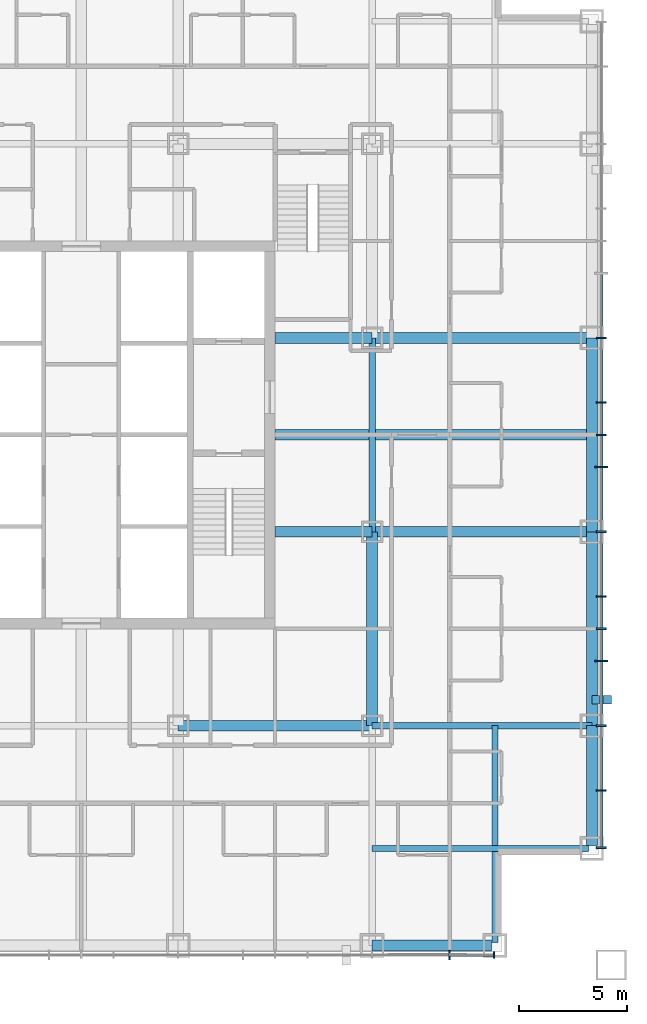
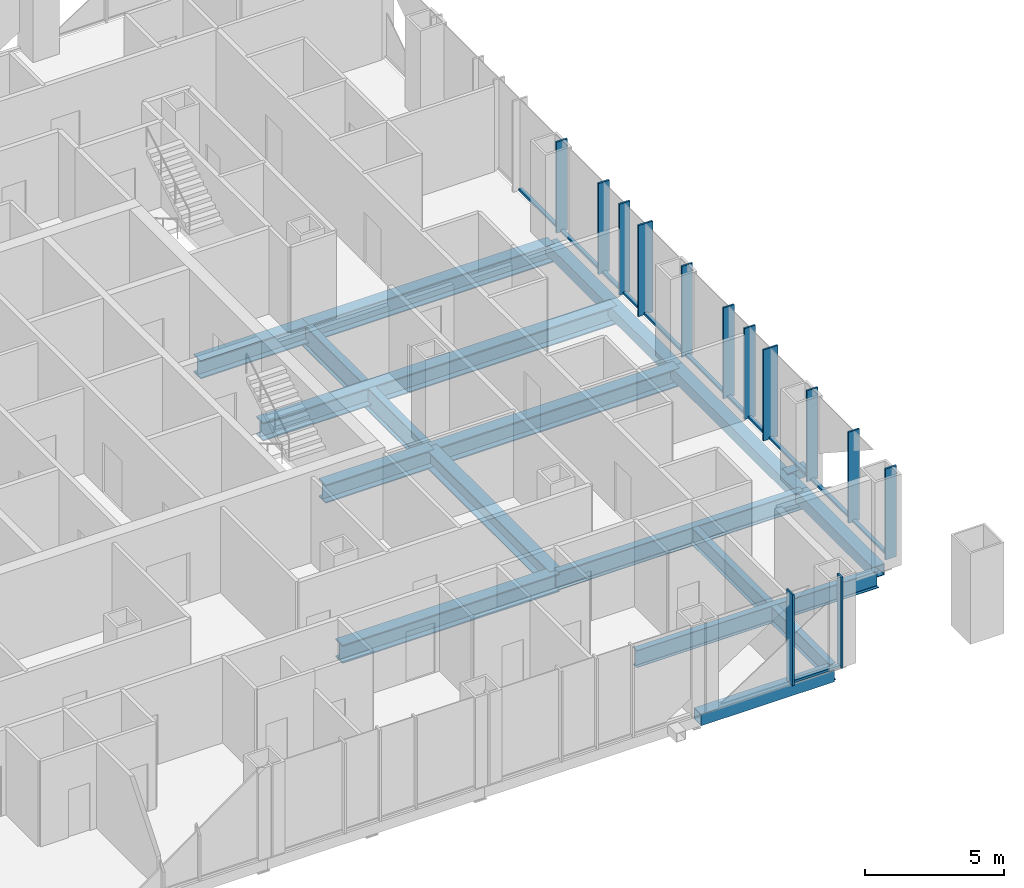
# One storey, part 4 of 14: 26 members, 15 beams, 2 elements without a shape of their own.
"""IFC4 building model written with IfcOpenShell, lengths in metres."""

from ifc_helpers import new_model, si_unit, direction, frame, origin, origin_2d, place, context, subcontext, project, spatial, rectangle, hollow_rectangle, i_section, extrude, material, layer, layer_set, material_profile, profile_set, type_object, element, aggregate, save


model = new_model("IFC4")

# Units and contexts
model_context = context("Model", 3, precision=1e-05, world=origin(), true_north=direction((0.0, 1.0)))
body_context = subcontext(model_context, "Body", "Model", "MODEL_VIEW")
ifc_project = project(units=[si_unit("LENGTHUNIT", "METRE"), si_unit("AREAUNIT", "SQUARE_METRE"), si_unit("VOLUMEUNIT", "CUBIC_METRE"), si_unit("PLANEANGLEUNIT", "RADIAN"), si_unit("MASSUNIT", "GRAM", prefix="KILO")], contexts=[model_context])

# Site, building, storey
site_placement = place(None, origin())
site = spatial("IfcSite", under=ifc_project, at=site_placement, CompositionType="ELEMENT")
building_placement = place(site_placement, origin())
building = spatial("IfcBuilding", under=site, at=building_placement, Name="Malebo Sky Hospital", CompositionType="ELEMENT")
storey_placement = place(building_placement, frame((0.0, 0.0, 164.0)))
storey = spatial("IfcBuildingStorey", under=building, at=storey_placement, Name="L39", CompositionType="ELEMENT", Elevation=164.0)

# Curtain wall, member
ifc_material_1 = material(Name="Anodised aluminium, natural silver", Category="aluminium")
ifc_layer_1 = layer(ifc_material_1, 0.25)
ifc_layer_set_1 = layer_set([ifc_layer_1], Name="WARD CURTAIN WALL NORTH AND SOUTH")
curtain_wall_type_1 = type_object("IfcCurtainWallType", Name="WARD CURTAIN WALL NORTH AND SOUTH", PredefinedType="NOTDEFINED", material=ifc_layer_set_1)
curtain_wall_1_placement = place(storey_placement, origin())
curtain_wall_1 = element("IfcCurtainWall", 1, at=curtain_wall_1_placement, inside=storey, type_object=curtain_wall_type_1, Name="NS curtain wall S", PredefinedType="NOTDEFINED")
ifc_material_profile_1 = material_profile(ifc_material_1, rectangle(XDim=0.14990234375, YDim=0.10009765625, at=origin_2d()), Name="ALUMINIUM TRANSOM 150x100")
ifc_profile_set_1 = profile_set([ifc_material_profile_1], Name="Anodised aluminium, natural silver")
member_type_1 = type_object("IfcMemberType", Name="ALUMINIUM TRANSOM 150x100", PredefinedType="USERDEFINED", material=ifc_profile_set_1)
member_1_placement = place(storey_placement, frame((79.125, 37.864990234375, 0.050048828125), z_axis=(-1.0, 0.0, 0.0), x_axis=(0.0, -1.0, 0.0)))
member_1 = element("IfcMember", 2, at=member_1_placement, type_object=member_type_1, Name="Transom 1", ObjectType="TRANSOM", PredefinedType="USERDEFINED", context=body_context, shape_type="SweptSolid", body=[
    extrude(rectangle(XDim=0.14990234375, YDim=0.10009765625, at=origin_2d()), origin(), (0.0, 0.0, 1.0), 1.987548828125),
])

# Curtain wall, members
ifc_layer_2 = layer(ifc_material_1, 0.25)
ifc_layer_set_2 = layer_set([ifc_layer_2], Name="WARD CURTAIN WALL EAST AND WEST")
curtain_wall_type_2 = type_object("IfcCurtainWallType", Name="WARD CURTAIN WALL EAST AND WEST", PredefinedType="NOTDEFINED", material=ifc_layer_set_2)
curtain_wall_2_placement = place(storey_placement, origin())
curtain_wall_2 = element("IfcCurtainWall", 3, at=curtain_wall_2_placement, inside=storey, type_object=curtain_wall_type_2, Name="EW curtain wall E", PredefinedType="NOTDEFINED")
member_2_placement = place(storey_placement, frame((84.135009765625, 69.46240234375, 0.050048828125), z_axis=(0.0, -1.0, 0.0), x_axis=(1.0, 0.0, 0.0)))
member_2 = element("IfcMember", 4, at=member_2_placement, type_object=member_type_1, Name="Transom 6", ObjectType="TRANSOM", PredefinedType="USERDEFINED", context=body_context, shape_type="SweptSolid", body=[
    extrude(rectangle(XDim=0.14990234375, YDim=0.10009765625, at=origin_2d()), origin(), (0.0, 0.0, 1.0), 2.9248046875),
])
member_3_placement = place(storey_placement, frame((84.135009765625, 66.46240234375, 0.050048828125), z_axis=(0.0, -1.0, 0.0), x_axis=(1.0, 0.0, 0.0)))
member_3 = element("IfcMember", 5, at=member_3_placement, type_object=member_type_1, Name="Transom 7", ObjectType="TRANSOM", PredefinedType="USERDEFINED", context=body_context, shape_type="SweptSolid", body=[
    extrude(rectangle(XDim=0.14990234375, YDim=0.10009765625, at=origin_2d()), origin(), (0.0, 0.0, 1.0), 2.9248046875),
])
member_4_placement = place(storey_placement, frame((84.135009765625, 63.46240234375, 0.050048828125), z_axis=(0.0, -1.0, 0.0), x_axis=(1.0, 0.0, 0.0)))
member_4 = element("IfcMember", 6, at=member_4_placement, type_object=member_type_1, Name="Transom 8", ObjectType="TRANSOM", PredefinedType="USERDEFINED", context=body_context, shape_type="SweptSolid", body=[
    extrude(rectangle(XDim=0.14990234375, YDim=0.10009765625, at=origin_2d()), origin(), (0.0, 0.0, 1.0), 1.4248046875),
])
member_5_placement = place(storey_placement, frame((84.135009765625, 61.96240234375, 0.050048828125), z_axis=(0.0, -1.0, 0.0), x_axis=(1.0, 0.0, 0.0)))
member_5 = element("IfcMember", 7, at=member_5_placement, type_object=member_type_1, Name="Transom 9", ObjectType="TRANSOM", PredefinedType="USERDEFINED", context=body_context, shape_type="SweptSolid", body=[
    extrude(rectangle(XDim=0.14990234375, YDim=0.10009765625, at=origin_2d()), origin(), (0.0, 0.0, 1.0), 1.4248046875),
])
member_6_placement = place(storey_placement, frame((84.135009765625, 60.46240234375, 0.050048828125), z_axis=(0.0, -1.0, 0.0), x_axis=(1.0, 0.0, 0.0)))
member_6 = element("IfcMember", 8, at=member_6_placement, type_object=member_type_1, Name="Transom 10", ObjectType="TRANSOM", PredefinedType="USERDEFINED", context=body_context, shape_type="SweptSolid", body=[
    extrude(rectangle(XDim=0.14990234375, YDim=0.10009765625, at=origin_2d()), origin(), (0.0, 0.0, 1.0), 2.9248046875),
])
member_7_placement = place(storey_placement, frame((84.135009765625, 57.46240234375, 0.050048828125), z_axis=(0.0, -1.0, 0.0), x_axis=(1.0, 0.0, 0.0)))
member_7 = element("IfcMember", 9, at=member_7_placement, type_object=member_type_1, Name="Transom 11", ObjectType="TRANSOM", PredefinedType="USERDEFINED", context=body_context, shape_type="SweptSolid", body=[
    extrude(rectangle(XDim=0.14990234375, YDim=0.10009765625, at=origin_2d()), origin(), (0.0, 0.0, 1.0), 2.9248046875),
])
member_8_placement = place(storey_placement, frame((84.135009765625, 54.46240234375, 0.050048828125), z_axis=(0.0, -1.0, 0.0), x_axis=(1.0, 0.0, 0.0)))
member_8 = element("IfcMember", 10, at=member_8_placement, type_object=member_type_1, Name="Transom 12", ObjectType="TRANSOM", PredefinedType="USERDEFINED", context=body_context, shape_type="SweptSolid", body=[
    extrude(rectangle(XDim=0.14990234375, YDim=0.10009765625, at=origin_2d()), origin(), (0.0, 0.0, 1.0), 1.4248046875),
])
member_9_placement = place(storey_placement, frame((84.135009765625, 52.96240234375, 0.050048828125), z_axis=(0.0, -1.0, 0.0), x_axis=(1.0, 0.0, 0.0)))
member_9 = element("IfcMember", 11, at=member_9_placement, type_object=member_type_1, Name="Transom 13", ObjectType="TRANSOM", PredefinedType="USERDEFINED", context=body_context, shape_type="SweptSolid", body=[
    extrude(rectangle(XDim=0.14990234375, YDim=0.10009765625, at=origin_2d()), origin(), (0.0, 0.0, 1.0), 1.4248046875),
])
member_10_placement = place(storey_placement, frame((84.135009765625, 51.46240234375, 0.050048828125), z_axis=(0.0, -1.0, 0.0), x_axis=(1.0, 0.0, 0.0)))
member_10 = element("IfcMember", 12, at=member_10_placement, type_object=member_type_1, Name="Transom 14", ObjectType="TRANSOM", PredefinedType="USERDEFINED", context=body_context, shape_type="SweptSolid", body=[
    extrude(rectangle(XDim=0.14990234375, YDim=0.10009765625, at=origin_2d()), origin(), (0.0, 0.0, 1.0), 2.9248046875),
])
member_11_placement = place(storey_placement, frame((84.135009765625, 48.46240234375, 0.050048828125), z_axis=(0.0, -1.0, 0.0), x_axis=(1.0, 0.0, 0.0)))
member_11 = element("IfcMember", 13, at=member_11_placement, type_object=member_type_1, Name="Transom 15", ObjectType="TRANSOM", PredefinedType="USERDEFINED", context=body_context, shape_type="SweptSolid", body=[
    extrude(rectangle(XDim=0.14990234375, YDim=0.10009765625, at=origin_2d()), origin(), (0.0, 0.0, 1.0), 2.9248046875),
])
member_12_placement = place(storey_placement, frame((84.135009765625, 45.46240234375, 0.050048828125), z_axis=(0.0, -1.0, 0.0), x_axis=(1.0, 0.0, 0.0)))
member_12 = element("IfcMember", 14, at=member_12_placement, type_object=member_type_1, Name="Transom 16", ObjectType="TRANSOM", PredefinedType="USERDEFINED", context=body_context, shape_type="SweptSolid", body=[
    extrude(rectangle(XDim=0.14990234375, YDim=0.10009765625, at=origin_2d()), origin(), (0.0, 0.0, 1.0), 2.58740234375),
])

# Member
ifc_material_2 = material(Name="Steel S355", Category="steel")
ifc_material_profile_2 = material_profile(ifc_material_2, hollow_rectangle(XDim=0.39990234375, YDim=0.39990234375, WallThickness=0.02001953125, at=origin_2d()), Name="SHS 400x20")
ifc_profile_set_2 = profile_set([ifc_material_profile_2], Name="Steel S355")
member_type_2 = type_object("IfcMemberType", Name="BRACE STRUT SHS 400x20", PredefinedType="STRUT", material=ifc_profile_set_2)
member_13_placement = place(storey_placement, frame((84.60009765625, 49.699951171875, -0.39990234375), z_axis=(-1.0, 0.0, 0.0), x_axis=(0.0, -1.0, 0.0)))
element("IfcMember", 15, at=member_13_placement, inside=storey, type_object=member_type_2, Name="Brace strut BE2 L39", PredefinedType="STRUT", context=body_context, shape_type="SweptSolid", body=[
    extrude(hollow_rectangle(XDim=0.39990234375, YDim=0.39990234375, WallThickness=0.02001953125, at=origin_2d()), origin(), (0.0, 0.0, 1.0), 0.900146484375),
])

ifc_material_profile_3 = material_profile(ifc_material_1, rectangle(XDim=0.074951171875, YDim=0.300048828125, at=origin_2d()), Name="CW1 ALUMINIUM FIN MULLION 75x300")
ifc_profile_set_3 = profile_set([ifc_material_profile_3], Name="Anodised aluminium, natural silver")
member_type_3 = type_object("IfcMemberType", Name="CW1 ALUMINIUM FIN MULLION 75x300", PredefinedType="MULLION", material=ifc_profile_set_3)
member_14_placement = place(storey_placement, frame((79.16259765625, 37.864990234375, 0.0), z_axis=(0.0, 0.0, 1.0), x_axis=(-1.0, 0.0, 0.0)))
member_14 = element("IfcMember", 16, at=member_14_placement, type_object=member_type_3, Name="Fin mullion 1", PredefinedType="MULLION", context=body_context, shape_type="SweptSolid", body=[
    extrude(rectangle(XDim=0.074951171875, YDim=0.300048828125, at=origin_2d()), origin(), (0.0, 0.0, 1.0), 4.0),
])

ifc_material_profile_4 = material_profile(ifc_material_1, rectangle(XDim=0.074951171875, YDim=0.449951171875, at=origin_2d()), Name="CW1 ALUMINIUM FIN MULLION 75x450")
ifc_profile_set_4 = profile_set([ifc_material_profile_4], Name="Anodised aluminium, natural silver")
member_type_4 = type_object("IfcMemberType", Name="CW1 ALUMINIUM FIN MULLION 75x450", PredefinedType="MULLION", material=ifc_profile_set_4)
member_15_placement = place(storey_placement, frame((77.10009765625, 37.864990234375, 0.0), z_axis=(0.0, 0.0, 1.0), x_axis=(-1.0, 0.0, 0.0)))
member_15 = element("IfcMember", 17, at=member_15_placement, type_object=member_type_4, Name="Fin mullion 2", PredefinedType="MULLION", context=body_context, shape_type="SweptSolid", body=[
    extrude(rectangle(XDim=0.074951171875, YDim=0.449951171875, at=origin_2d()), origin(), (0.0, 0.0, 1.0), 4.0),
])

aggregate(curtain_wall_1, [member_14, member_15, member_1])

ifc_material_profile_5 = material_profile(ifc_material_1, rectangle(XDim=0.074951171875, YDim=0.449951171875, at=origin_2d()), Name="CW2 ALUMINIUM FIN MULLION 75x450")
ifc_profile_set_5 = profile_set([ifc_material_profile_5], Name="Anodised aluminium, natural silver")
member_type_5 = type_object("IfcMemberType", Name="CW2 ALUMINIUM FIN MULLION 75x450", PredefinedType="MULLION", material=ifc_profile_set_5)
member_16_placement = place(storey_placement, frame((84.135009765625, 66.5, 0.0), z_axis=(0.0, 0.0, 1.0), x_axis=(0.0, -1.0, 0.0)))
member_16 = element("IfcMember", 18, at=member_16_placement, type_object=member_type_5, Name="Fin mullion 7", PredefinedType="MULLION", context=body_context, shape_type="SweptSolid", body=[
    extrude(rectangle(XDim=0.074951171875, YDim=0.449951171875, at=origin_2d()), origin(), (0.0, 0.0, 1.0), 4.0),
])

member_17_placement = place(storey_placement, frame((84.135009765625, 63.5, 0.0), z_axis=(0.0, 0.0, 1.0), x_axis=(0.0, -1.0, 0.0)))
member_17 = element("IfcMember", 19, at=member_17_placement, type_object=member_type_5, Name="Fin mullion 8", PredefinedType="MULLION", context=body_context, shape_type="SweptSolid", body=[
    extrude(rectangle(XDim=0.074951171875, YDim=0.449951171875, at=origin_2d()), origin(), (0.0, 0.0, 1.0), 4.0),
])

member_18_placement = place(storey_placement, frame((84.135009765625, 62.0, 0.0), z_axis=(0.0, 0.0, 1.0), x_axis=(0.0, -1.0, 0.0)))
member_18 = element("IfcMember", 20, at=member_18_placement, type_object=member_type_5, Name="Fin mullion 9", PredefinedType="MULLION", context=body_context, shape_type="SweptSolid", body=[
    extrude(rectangle(XDim=0.074951171875, YDim=0.449951171875, at=origin_2d()), origin(), (0.0, 0.0, 1.0), 4.0),
])

member_19_placement = place(storey_placement, frame((84.135009765625, 57.5, 0.0), z_axis=(0.0, 0.0, 1.0), x_axis=(0.0, -1.0, 0.0)))
member_19 = element("IfcMember", 21, at=member_19_placement, type_object=member_type_5, Name="Fin mullion 11", PredefinedType="MULLION", context=body_context, shape_type="SweptSolid", body=[
    extrude(rectangle(XDim=0.074951171875, YDim=0.449951171875, at=origin_2d()), origin(), (0.0, 0.0, 1.0), 4.0),
])

member_20_placement = place(storey_placement, frame((84.135009765625, 54.5, 0.0), z_axis=(0.0, 0.0, 1.0), x_axis=(0.0, -1.0, 0.0)))
member_20 = element("IfcMember", 22, at=member_20_placement, type_object=member_type_5, Name="Fin mullion 12", PredefinedType="MULLION", context=body_context, shape_type="SweptSolid", body=[
    extrude(rectangle(XDim=0.074951171875, YDim=0.449951171875, at=origin_2d()), origin(), (0.0, 0.0, 1.0), 4.0),
])

member_21_placement = place(storey_placement, frame((84.135009765625, 53.0, 0.0), z_axis=(0.0, 0.0, 1.0), x_axis=(0.0, -1.0, 0.0)))
member_21 = element("IfcMember", 23, at=member_21_placement, type_object=member_type_5, Name="Fin mullion 13", PredefinedType="MULLION", context=body_context, shape_type="SweptSolid", body=[
    extrude(rectangle(XDim=0.074951171875, YDim=0.449951171875, at=origin_2d()), origin(), (0.0, 0.0, 1.0), 4.0),
])

member_22_placement = place(storey_placement, frame((84.135009765625, 48.5, 0.0), z_axis=(0.0, 0.0, 1.0), x_axis=(0.0, -1.0, 0.0)))
member_22 = element("IfcMember", 24, at=member_22_placement, type_object=member_type_5, Name="Fin mullion 15", PredefinedType="MULLION", context=body_context, shape_type="SweptSolid", body=[
    extrude(rectangle(XDim=0.074951171875, YDim=0.449951171875, at=origin_2d()), origin(), (0.0, 0.0, 1.0), 4.0),
])

member_23_placement = place(storey_placement, frame((84.135009765625, 45.5, 0.0), z_axis=(0.0, 0.0, 1.0), x_axis=(0.0, -1.0, 0.0)))
member_23 = element("IfcMember", 25, at=member_23_placement, type_object=member_type_5, Name="Fin mullion 16", PredefinedType="MULLION", context=body_context, shape_type="SweptSolid", body=[
    extrude(rectangle(XDim=0.074951171875, YDim=0.449951171875, at=origin_2d()), origin(), (0.0, 0.0, 1.0), 4.0),
])

member_24_placement = place(storey_placement, frame((84.135009765625, 42.83740234375, 0.0), z_axis=(0.0, 0.0, 1.0), x_axis=(0.0, -1.0, 0.0)))
member_24 = element("IfcMember", 26, at=member_24_placement, type_object=member_type_5, Name="Fin mullion 17", PredefinedType="MULLION", context=body_context, shape_type="SweptSolid", body=[
    extrude(rectangle(XDim=0.074951171875, YDim=0.449951171875, at=origin_2d()), origin(), (0.0, 0.0, 1.0), 4.0),
])

ifc_material_profile_6 = material_profile(ifc_material_1, rectangle(XDim=0.074951171875, YDim=0.60009765625, at=origin_2d()), Name="CW2 ALUMINIUM FIN MULLION 75x600")
ifc_profile_set_6 = profile_set([ifc_material_profile_6], Name="Anodised aluminium, natural silver")
member_type_6 = type_object("IfcMemberType", Name="CW2 ALUMINIUM FIN MULLION 75x600", PredefinedType="MULLION", material=ifc_profile_set_6)
member_25_placement = place(storey_placement, frame((84.135009765625, 60.5, 0.0), z_axis=(0.0, 0.0, 1.0), x_axis=(0.0, -1.0, 0.0)))
member_25 = element("IfcMember", 27, at=member_25_placement, type_object=member_type_6, Name="Fin mullion 10", PredefinedType="MULLION", context=body_context, shape_type="SweptSolid", body=[
    extrude(rectangle(XDim=0.074951171875, YDim=0.60009765625, at=origin_2d()), origin(), (0.0, 0.0, 1.0), 4.0),
])

member_26_placement = place(storey_placement, frame((84.135009765625, 51.5, 0.0), z_axis=(0.0, 0.0, 1.0), x_axis=(0.0, -1.0, 0.0)))
member_26 = element("IfcMember", 28, at=member_26_placement, type_object=member_type_6, Name="Fin mullion 14", PredefinedType="MULLION", context=body_context, shape_type="SweptSolid", body=[
    extrude(rectangle(XDim=0.074951171875, YDim=0.60009765625, at=origin_2d()), origin(), (0.0, 0.0, 1.0), 4.0),
])

aggregate(curtain_wall_2, [member_16, member_17, member_18, member_25, member_19, member_20, member_21, member_26, member_22, member_23, member_24, member_2, member_3, member_4, member_5, member_6, member_7, member_8, member_9, member_10, member_11, member_12])

# Beams
ifc_material_3 = material(Name="Steel S460", Category="steel")
ifc_material_profile_7 = material_profile(ifc_material_3, hollow_rectangle(XDim=0.5, YDim=0.5, WallThickness=0.030029296875, at=origin_2d()), Name="BOX 500x500x30")
ifc_profile_set_7 = profile_set([ifc_material_profile_7], Name="Steel S460")
beam_type_1 = type_object("IfcBeamType", Name="EDGE BEAM BOX 500x500x30", PredefinedType="BEAM", material=ifc_profile_set_7)
beam_1_placement = place(storey_placement, frame((83.699951171875, 42.949951171875, -0.5), z_axis=(0.0, 1.0, 0.0), x_axis=(-1.0, 0.0, 0.0)))
element("IfcBeam", 29, at=beam_1_placement, inside=storey, type_object=beam_type_1, Name="Beam 029 L39", PredefinedType="BEAM", context=body_context, shape_type="SweptSolid", body=[
    extrude(hollow_rectangle(XDim=0.5, YDim=0.5, WallThickness=0.030029296875, at=origin_2d()), origin(), (0.0, 0.0, 1.0), 5.550048828125),
])
for number, where, z_axis, x_axis, name in (
    (30, (83.699951171875, 48.5, -0.5), (0.0, 1.0, 0.0), (-1.0, 0.0, 0.0), "Beam 030 L39"),
    (31, (83.699951171875, 57.5, -0.5), (0.0, 1.0, 0.0), (-1.0, 0.0, 0.0), "Beam 031 L39"),
):
    element("IfcBeam", number, at=place(storey_placement, frame(where, z_axis=z_axis, x_axis=x_axis)), inside=storey, type_object=beam_type_1, Name=name, PredefinedType="BEAM", context=body_context, shape_type="SweptSolid", body=[
        extrude(hollow_rectangle(XDim=0.5, YDim=0.5, WallThickness=0.030029296875, at=origin_2d()), origin(), (0.0, 0.0, 1.0), 9.0),
    ])
beam_2_placement = place(storey_placement, frame((73.5, 38.300048828125, -0.5), z_axis=(1.0, 0.0, 0.0), x_axis=(0.0, 1.0, 0.0)))
element("IfcBeam", 32, at=beam_2_placement, inside=storey, type_object=beam_type_1, Name="Beam 038 L39", PredefinedType="BEAM", context=body_context, shape_type="SweptSolid", body=[
    extrude(hollow_rectangle(XDim=0.5, YDim=0.5, WallThickness=0.030029296875, at=origin_2d()), origin(), (0.0, 0.0, 1.0), 5.550048828125),
])
ifc_material_profile_8 = material_profile(ifc_material_2, i_section(OverallWidth=0.262939453125, OverallDepth=0.7529296875, WebThickness=0.011474609375, FlangeThickness=0.01708984375, FilletRadius=0.01708984375, at=origin_2d()), Name="IPE 750x137")
ifc_profile_set_8 = profile_set([ifc_material_profile_8], Name="Steel S355")
beam_type_2 = type_object("IfcBeamType", Name="FLOOR BEAM IPE 750x137", PredefinedType="BEAM", material=ifc_profile_set_8)
for number, where, z_axis, x_axis, name in (
    (33, (79.199951171875, 38.449951171875, -0.62646484375), (0.0, 1.0, 0.0), (-1.0, 0.0, 0.0), "Beam 027 L39"),
    (34, (73.5, 42.800048828125, -0.62646484375), (1.0, 0.0, 0.0), (0.0, 1.0, 0.0), "Beam 040 L39"),
):
    element("IfcBeam", number, at=place(storey_placement, frame(where, z_axis=z_axis, x_axis=x_axis)), inside=storey, type_object=beam_type_2, Name=name, PredefinedType="BEAM", context=body_context, shape_type="SweptSolid", body=[
        extrude(i_section(OverallWidth=0.262939453125, OverallDepth=0.7529296875, WebThickness=0.011474609375, FlangeThickness=0.01708984375, FilletRadius=0.01708984375, at=origin_2d()), origin(), (0.0, 0.0, 1.0), 10.050048828125),
    ])
ifc_material_profile_9 = material_profile(ifc_material_2, i_section(OverallWidth=0.5, OverallDepth=0.800048828125, WebThickness=0.030029296875, FlangeThickness=0.050048828125, at=origin_2d()), Name="PG 800x500x30x50")
ifc_profile_set_9 = profile_set([ifc_material_profile_9], Name="Steel S355")
beam_type_3 = type_object("IfcBeamType", Name="FLOOR BEAM PG 800x500x30x50", PredefinedType="BEAM", material=ifc_profile_set_9)
for number, where, z_axis, x_axis, name in (
    (35, (73.5, 48.5, -0.64990234375), (0.0, 1.0, 0.0), (-1.0, 0.0, 0.0), "Beam 023 L39"),
    (36, (64.5, 48.5, -0.64990234375), (1.0, 0.0, 0.0), (0.0, 1.0, 0.0), "Beam 044 L39"),
):
    element("IfcBeam", number, at=place(storey_placement, frame(where, z_axis=z_axis, x_axis=x_axis)), inside=storey, type_object=beam_type_3, Name=name, PredefinedType="BEAM", context=body_context, shape_type="SweptSolid", body=[
        extrude(i_section(OverallWidth=0.5, OverallDepth=0.800048828125, WebThickness=0.030029296875, FlangeThickness=0.050048828125, at=origin_2d()), origin(), (0.0, 0.0, 1.0), 9.0),
    ])
beam_3_placement = place(storey_placement, frame((69.0, 57.5, -0.64990234375), z_axis=(1.0, 0.0, 0.0), x_axis=(0.0, 1.0, 0.0)))
element("IfcBeam", 37, at=beam_3_placement, inside=storey, type_object=beam_type_3, Name="Beam 048 L39", PredefinedType="BEAM", context=body_context, shape_type="SweptSolid", body=[
    extrude(i_section(OverallWidth=0.5, OverallDepth=0.800048828125, WebThickness=0.030029296875, FlangeThickness=0.050048828125, at=origin_2d()), origin(), (0.0, 0.0, 1.0), 4.5),
])
beam_4_placement = place(storey_placement, frame((73.5, 57.5, -0.64990234375), z_axis=(1.0, 0.0, 0.0), x_axis=(0.0, 1.0, 0.0)))
element("IfcBeam", 38, at=beam_4_placement, inside=storey, type_object=beam_type_3, Name="Beam 049 L39", PredefinedType="BEAM", context=body_context, shape_type="SweptSolid", body=[
    extrude(i_section(OverallWidth=0.5, OverallDepth=0.800048828125, WebThickness=0.030029296875, FlangeThickness=0.050048828125, at=origin_2d()), origin(), (0.0, 0.0, 1.0), 10.199951171875),
])
beam_5_placement = place(storey_placement, frame((69.0, 62.0, -0.64990234375), z_axis=(1.0, 0.0, 0.0), x_axis=(0.0, 1.0, 0.0)))
element("IfcBeam", 39, at=beam_5_placement, inside=storey, type_object=beam_type_3, Name="Beam 051 L39", PredefinedType="BEAM", context=body_context, shape_type="SweptSolid", body=[
    extrude(i_section(OverallWidth=0.5, OverallDepth=0.800048828125, WebThickness=0.030029296875, FlangeThickness=0.050048828125, at=origin_2d()), origin(), (0.0, 0.0, 1.0), 14.699951171875),
])
beam_6_placement = place(storey_placement, frame((69.0, 66.5, -0.64990234375), z_axis=(1.0, 0.0, 0.0), x_axis=(0.0, 1.0, 0.0)))
element("IfcBeam", 40, at=beam_6_placement, inside=storey, type_object=beam_type_3, Name="Beam 054 L39", PredefinedType="BEAM", context=body_context, shape_type="SweptSolid", body=[
    extrude(i_section(OverallWidth=0.5, OverallDepth=0.800048828125, WebThickness=0.030029296875, FlangeThickness=0.050048828125, at=origin_2d()), origin(), (0.0, 0.0, 1.0), 4.5),
])
beam_7_placement = place(storey_placement, frame((73.5, 66.5, -0.64990234375), z_axis=(1.0, 0.0, 0.0), x_axis=(0.0, 1.0, 0.0)))
element("IfcBeam", 41, at=beam_7_placement, inside=storey, type_object=beam_type_3, Name="Beam 055 L39", PredefinedType="BEAM", context=body_context, shape_type="SweptSolid", body=[
    extrude(i_section(OverallWidth=0.5, OverallDepth=0.800048828125, WebThickness=0.030029296875, FlangeThickness=0.050048828125, at=origin_2d()), origin(), (0.0, 0.0, 1.0), 10.199951171875),
])
ifc_material_profile_10 = material_profile(ifc_material_2, i_section(OverallWidth=0.300048828125, OverallDepth=0.800048828125, WebThickness=0.017578125, FlangeThickness=0.032958984375, FilletRadius=0.030029296875, at=origin_2d()), Name="HEB 800")
ifc_profile_set_10 = profile_set([ifc_material_profile_10], Name="Steel S355")
beam_type_4 = type_object("IfcBeamType", Name="FLOOR GIRDER HEB 800", PredefinedType="BEAM", material=ifc_profile_set_10)
beam_8_placement = place(storey_placement, frame((73.5, 48.5, -0.64990234375), z_axis=(1.0, 0.0, 0.0), x_axis=(0.0, 1.0, 0.0)))
element("IfcBeam", 42, at=beam_8_placement, inside=storey, type_object=beam_type_4, Name="Beam 045 L39", PredefinedType="BEAM", context=body_context, shape_type="SweptSolid", body=[
    extrude(i_section(OverallWidth=0.300048828125, OverallDepth=0.800048828125, WebThickness=0.017578125, FlangeThickness=0.032958984375, FilletRadius=0.030029296875, at=origin_2d()), origin(), (0.0, 0.0, 1.0), 10.199951171875),
])
ifc_material_profile_11 = material_profile(ifc_material_2, i_section(OverallWidth=0.300048828125, OverallDepth=1.0, WebThickness=0.01904296875, FlangeThickness=0.035888671875, FilletRadius=0.030029296875, at=origin_2d()), Name="HEB 1000")
ifc_profile_set_11 = profile_set([ifc_material_profile_11], Name="Steel S355")
beam_type_5 = type_object("IfcBeamType", Name="RING GIRDER HEB 1000", PredefinedType="BEAM", material=ifc_profile_set_11)
beam_9_placement = place(storey_placement, frame((73.5, 57.5, -0.75), z_axis=(0.0, 1.0, 0.0), x_axis=(-1.0, 0.0, 0.0)))
element("IfcBeam", 43, at=beam_9_placement, inside=storey, type_object=beam_type_5, Name="Beam 024 L39", PredefinedType="BEAM", context=body_context, shape_type="SweptSolid", body=[
    extrude(i_section(OverallWidth=0.300048828125, OverallDepth=1.0, WebThickness=0.01904296875, FlangeThickness=0.035888671875, FilletRadius=0.030029296875, at=origin_2d()), origin(), (0.0, 0.0, 1.0), 9.0),
])

save(model, "model.ifc")
